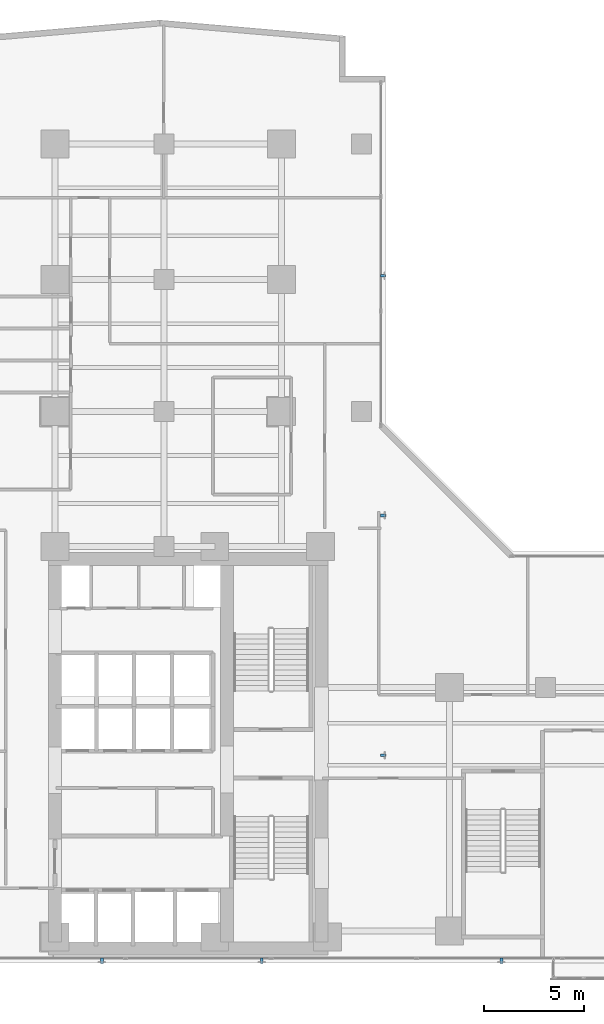
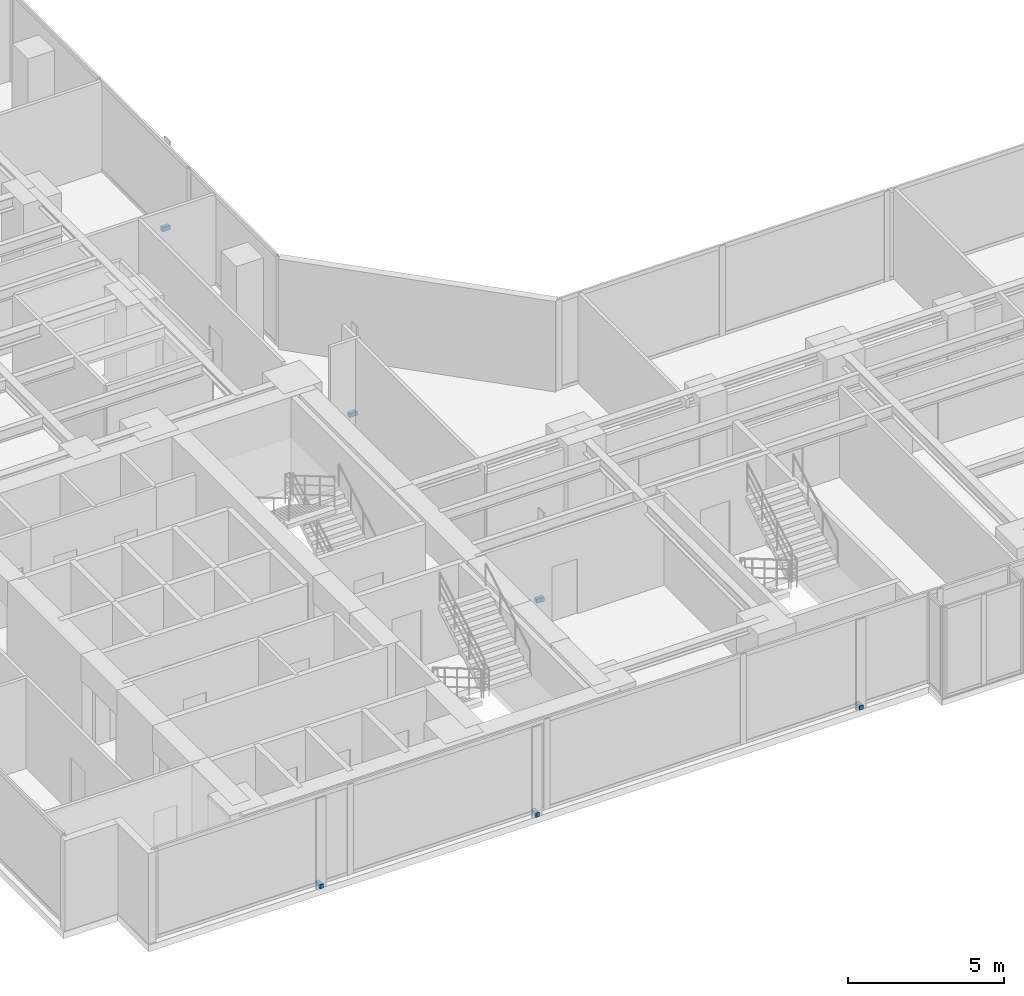
# One storey, part 24 of 29: 6 discrete accessories.
"""IFC4 building model written with IfcOpenShell, lengths in metres."""

from ifc_helpers import new_model, si_unit, direction, frame, origin, origin_with_axes, origin_2d, place, context, subcontext, project, spatial, rectangle, extrude, source, transform, mapped, material, type_object, element, save


model = new_model("IFC4")

# Units and contexts
model_context = context("Model", 3, precision=1e-05, world=origin(), true_north=direction((0.0, 1.0)))
body_context = subcontext(model_context, "Body", "Model", "MODEL_VIEW")
ifc_project = project(units=[si_unit("LENGTHUNIT", "METRE"), si_unit("AREAUNIT", "SQUARE_METRE"), si_unit("VOLUMEUNIT", "CUBIC_METRE"), si_unit("PLANEANGLEUNIT", "RADIAN"), si_unit("MASSUNIT", "GRAM", prefix="KILO")], contexts=[model_context])

# Site, building, storey
site_placement = place(None, origin())
site = spatial("IfcSite", under=ifc_project, at=site_placement, CompositionType="ELEMENT")
building_placement = place(site_placement, origin())
building = spatial("IfcBuilding", under=site, at=building_placement, Name="Kolvaren Waterfront Exchange", CompositionType="ELEMENT")
storey_placement = place(building_placement, frame((0.0, 0.0, 129.699951171875)))
storey = spatial("IfcBuildingStorey", under=building, at=storey_placement, Name="L33", CompositionType="ELEMENT", Elevation=129.699951171875)

# Discrete accessories
ifc_material = material(Name="Stainless steel 316", Category="steel")
discrete_accessory_type = type_object("IfcDiscreteAccessoryType", Name="ARC-BRK-FIN", PredefinedType="BRACKET", material=ifc_material)
shared_shape = source(origin_with_axes(), body_context, "Body", "SweptSolid", [
    extrude(rectangle(XDim=0.280029296875, YDim=0.139892578125, at=origin_2d()), origin(), (0.0, 0.0, 1.0), 0.159912109375),
])
for number, where, z_axis, x_axis, name in (
    (1, (9.800048828125, 3.719970703125, 0.0), (0.0, 0.0, 1.0), (0.0, -1.0, 0.0), "L33 bronze fin anchor bracket FIN-L33-S1"),
    (2, (17.800048828125, 3.719970703125, 0.0), (0.0, 0.0, 1.0), (0.0, -1.0, 0.0), "L33 bronze fin anchor bracket FIN-L33-S2"),
    (3, (29.800048828125, 3.719970703125, 0.0), (0.0, 0.0, 1.0), (0.0, -1.0, 0.0), "L33 bronze fin anchor bracket FIN-L33-S3"),
    (4, (23.8798828125, 14.0, 0.0), (0.0, 0.0, 1.0), (1.0, 0.0, 0.0), "L33 bronze fin anchor bracket FIN-L33-E1"),
    (5, (23.8798828125, 26.0, 0.0), (0.0, 0.0, 1.0), (1.0, 0.0, 0.0), "L33 bronze fin anchor bracket FIN-L33-E2"),
    (6, (23.8798828125, 38.0, 0.0), (0.0, 0.0, 1.0), (1.0, 0.0, 0.0), "L33 bronze fin anchor bracket FIN-L33-E3"),
):
    element("IfcDiscreteAccessory", number, at=place(storey_placement, frame(where, z_axis=z_axis, x_axis=x_axis)), inside=storey, type_object=discrete_accessory_type, Name=name, PredefinedType="BRACKET", context=body_context, shape_type="MappedRepresentation", body=[
        mapped(shared_shape, transform((0.0, 0.0, 0.0), x_axis=(1.0, 0.0, 0.0), y_axis=(0.0, 1.0, 0.0), z_axis=(0.0, 0.0, 1.0), scale=1.0)),
    ])

save(model, "model.ifc")
